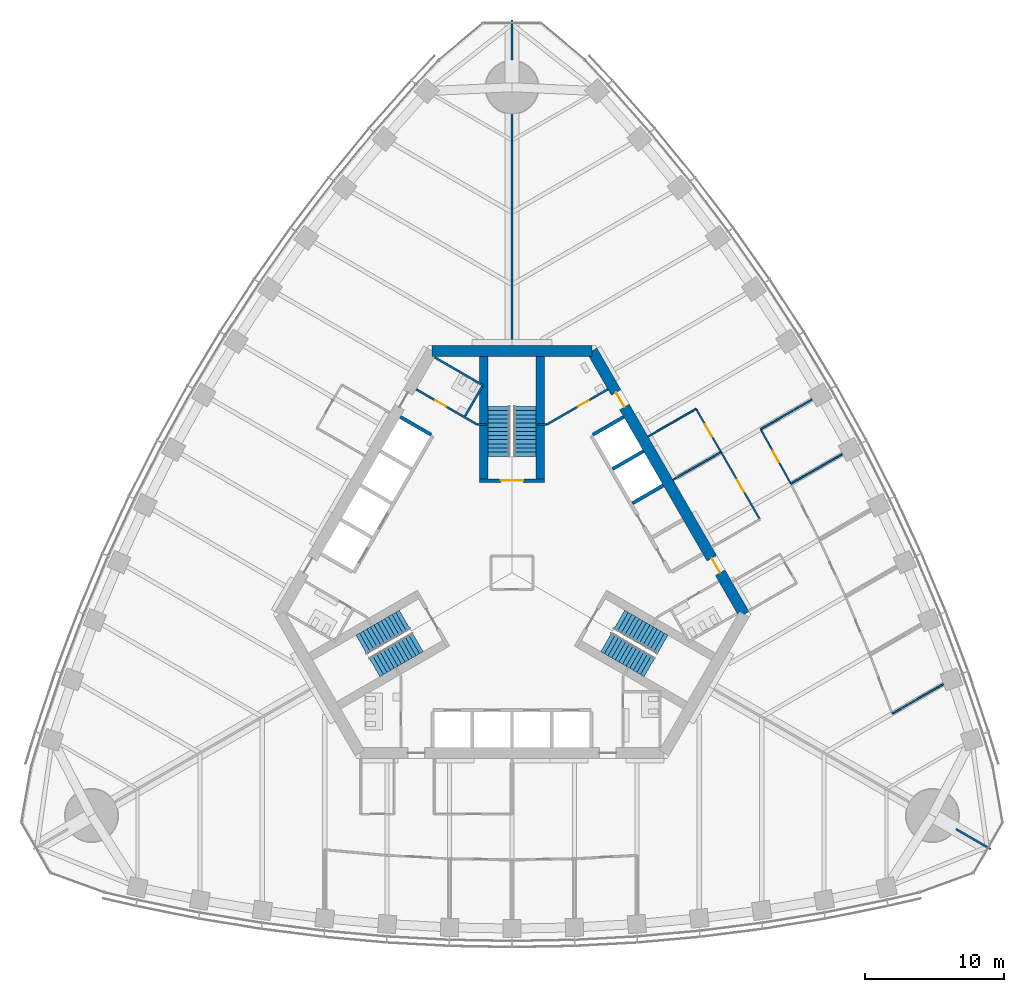
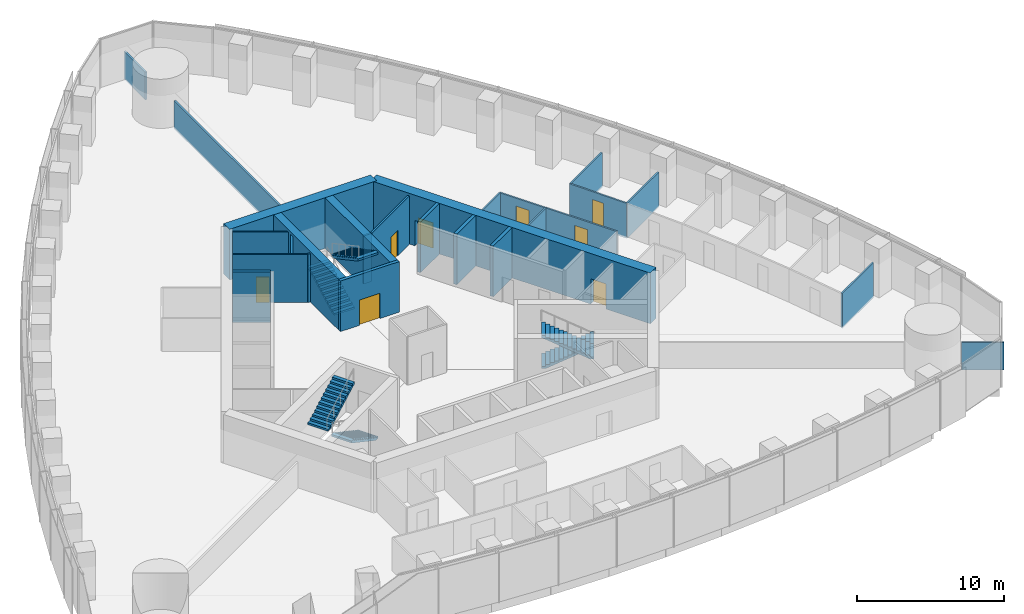
# One storey, part 14 of 19: 26 walls, 8 doors, 6 stair flights, 8 openings, 3 elements without a shape of their own.
"""IFC4 building model written with IfcOpenShell, lengths in metres."""

from ifc_helpers import new_model, si_unit, direction, frame, frame_2d, origin, place, context, subcontext, project, spatial, polyline, rectangle, outline, extrude, material, layer, layer_set, type_object, element, fill, aggregate, save


model = new_model("IFC4")

# Units and contexts
model_context = context("Model", 3, precision=1e-05, world=origin(), true_north=direction((0.0, 1.0)))
body_context = subcontext(model_context, "Body", "Model", "MODEL_VIEW")
ifc_project = project(units=[si_unit("LENGTHUNIT", "METRE"), si_unit("AREAUNIT", "SQUARE_METRE"), si_unit("VOLUMEUNIT", "CUBIC_METRE"), si_unit("PLANEANGLEUNIT", "RADIAN"), si_unit("MASSUNIT", "GRAM", prefix="KILO")], contexts=[model_context])

# Site, building, storey
site_placement = place(None, origin())
site = spatial("IfcSite", under=ifc_project, at=site_placement, CompositionType="ELEMENT")
building_placement = place(site_placement, origin())
building = spatial("IfcBuilding", under=site, at=building_placement, Name="Trefoil Bronze Tower", CompositionType="ELEMENT")
storey_placement = place(building_placement, frame((0.0, 0.0, 124.10009765625)))
storey = spatial("IfcBuildingStorey", under=building, at=storey_placement, Name="L28", CompositionType="ELEMENT", Elevation=124.10009765625)

# Wall, openings, doors
ifc_material_1 = material(Name="Concrete B80", Category="concrete")
ifc_layer_1 = layer(ifc_material_1, 0.800048828125)
ifc_layer_set_1 = layer_set([ifc_layer_1], Name="Core wall 800")
wall_type_1 = type_object("IfcWallType", Name="Core wall 800", PredefinedType="SHEAR", material=ifc_layer_set_1)
wall_1_placement = place(storey_placement, frame((16.7431640625, -3.0, 0.0), z_axis=(0.0, 0.0, 1.0), x_axis=(-0.500002442456, 0.866023993627, 0.0)))
wall_1 = element("IfcWall", 1, at=wall_1_placement, inside=storey, type_object=wall_type_1, Name="Core long wall 2 L28", PredefinedType="SHEAR", context=body_context, shape_type="SweptSolid", body=[
    extrude(rectangle(XDim=21.939453125, YDim=0.800048828125, at=frame_2d((10.9697265625, 0.0))), origin(), (0.0, 0.0, 1.0), 4.199951171875),
])
opening_1_placement = place(wall_1_placement, frame((17.269775390625, 0.0, 0.0)))
opening_1 = element("IfcOpeningElement", 2, at=opening_1_placement, cuts=wall_1, Name="Opening D2", PredefinedType="OPENING", context=body_context, shape_type="SweptSolid", body=[
    extrude(rectangle(XDim=1.199951171875, YDim=2.10009765625, at=frame_2d((0.60009765625, 1.050048828125))), frame((0.0, 0.409912109375, 0.0), z_axis=(0.0, -1.0, 0.0), x_axis=(1.0, 0.0, 0.0)), (0.0, 0.0, 1.0), 0.820068359375),
])
opening_2_placement = place(wall_1_placement, frame((3.4697265625, 0.0, 0.0)))
opening_2 = element("IfcOpeningElement", 3, at=opening_2_placement, cuts=wall_1, Name="Opening D2", PredefinedType="OPENING", context=body_context, shape_type="SweptSolid", body=[
    extrude(rectangle(XDim=1.199951171875, YDim=2.10009765625, at=frame_2d((0.60009765625, 1.050048828125))), frame((0.0, 0.409912109375, 0.0), z_axis=(0.0, -1.0, 0.0), x_axis=(1.0, 0.0, 0.0)), (0.0, 0.0, 1.0), 0.820068359375),
])
ifc_material_2 = material(Name="Steel door", Category="steel")
door_type_1 = type_object("IfcDoorType", Name="Lobby door 1200", OperationType="SINGLE_SWING_RIGHT", PredefinedType="DOOR", material=ifc_material_2)
door_1_placement = place(opening_1_placement, origin())
door_1 = element("IfcDoor", 4, at=door_1_placement, inside=storey, type_object=door_type_1, Name="Lobby door F2+ L28", OperationType="SINGLE_SWING_RIGHT", OverallHeight=2.10009765625, OverallWidth=1.199951171875, PredefinedType="DOOR", context=body_context, shape_type="SweptSolid", body=[
    extrude(rectangle(XDim=1.199951171875, YDim=2.10009765625, at=frame_2d((0.60009765625, 1.050048828125))), frame((0.0, 0.02490234375, 0.0), z_axis=(0.0, -1.0, 0.0), x_axis=(1.0, 0.0, 0.0)), (0.0, 0.0, 1.0), 0.050048828125),
])
fill(opening_1, door_1)
door_2_placement = place(opening_2_placement, origin())
door_2 = element("IfcDoor", 5, at=door_2_placement, inside=storey, type_object=door_type_1, Name="Lobby door F2- L28", OperationType="SINGLE_SWING_LEFT", OverallHeight=2.10009765625, OverallWidth=1.199951171875, PredefinedType="DOOR", context=body_context, shape_type="SweptSolid", body=[
    extrude(rectangle(XDim=1.199951171875, YDim=2.10009765625, at=frame_2d((0.60009765625, 1.050048828125))), frame((0.0, 0.02490234375, 0.0), z_axis=(0.0, -1.0, 0.0), x_axis=(1.0, 0.0, 0.0)), (0.0, 0.0, 1.0), 0.050048828125),
])
fill(opening_2, door_2)

# Wall
wall_2_placement = place(storey_placement, frame((5.7734375, 16.0, 0.0), z_axis=(0.0, 0.0, 1.0), x_axis=(-1.0, 0.0, 0.0)))
element("IfcWall", 6, at=wall_2_placement, inside=storey, type_object=wall_type_1, Name="Core short wall 2 L28", PredefinedType="SHEAR", context=body_context, shape_type="SweptSolid", body=[
    extrude(rectangle(XDim=11.546875, YDim=0.800048828125, at=frame_2d((5.7734375, 0.0))), origin(), (0.0, 0.0, 1.0), 4.199951171875),
])

# Wall, opening, door
ifc_material_3 = material(Name="Glazed partition", Category="glass")
ifc_layer_2 = layer(ifc_material_3, 0.1201171875)
ifc_layer_set_2 = layer_set([ifc_layer_2], Name="Glazed partition 120")
wall_type_2 = type_object("IfcWallType", Name="Glazed partition 120", PredefinedType="PARTITIONING", material=ifc_layer_set_2)
wall_3_placement = place(storey_placement, frame((15.06884765625, 8.699951171875, 0.0), z_axis=(0.0, 0.0, 1.0), x_axis=(-0.500012057535, 0.866018442252, 0.0)))
wall_3 = element("IfcWall", 7, at=wall_3_placement, inside=storey, type_object=wall_type_2, Name="Partition F2 L28", PredefinedType="PARTITIONING", context=body_context, shape_type="SweptSolid", body=[
    extrude(rectangle(XDim=3.60009765625, YDim=0.1201171875, at=frame_2d((1.800048828125, 0.0))), origin(), (0.0, 0.0, 1.0), 2.89990234375),
])
opening_3_placement = place(wall_3_placement, frame((1.300048828125, 0.0, 0.14990234375)))
opening_3 = element("IfcOpeningElement", 8, at=opening_3_placement, cuts=wall_3, Name="Opening D9", PredefinedType="OPENING", context=body_context, shape_type="SweptSolid", body=[
    extrude(rectangle(XDim=1.0, YDim=2.10009765625, at=frame_2d((0.5, 1.050048828125))), frame((0.0, 0.070068359375, 0.0), z_axis=(0.0, -1.0, 0.0), x_axis=(1.0, 0.0, 0.0)), (0.0, 0.0, 1.0), 0.14013671875),
])
ifc_material_4 = material(Name="Glazed timber door", Category="wood")
door_type_2 = type_object("IfcDoorType", Name="Meeting room door 1000", OperationType="SINGLE_SWING_LEFT", PredefinedType="DOOR", material=ifc_material_4)
door_3_placement = place(opening_3_placement, origin())
door_3 = element("IfcDoor", 9, at=door_3_placement, inside=storey, type_object=door_type_2, Name="Meeting room door F2 L28", OperationType="SINGLE_SWING_LEFT", OverallHeight=2.10009765625, OverallWidth=1.0, PredefinedType="DOOR", context=body_context, shape_type="SweptSolid", body=[
    extrude(rectangle(XDim=1.0, YDim=2.10009765625, at=frame_2d((0.5, 1.050048828125))), frame((0.0, 0.02490234375, 0.0), z_axis=(0.0, -1.0, 0.0), x_axis=(1.0, 0.0, 0.0)), (0.0, 0.0, 1.0), 0.050048828125),
])
fill(opening_3, door_3)

wall_4_placement = place(storey_placement, frame((17.868896484375, 3.850341796875, 0.0), z_axis=(0.0, 0.0, 1.0), x_axis=(-0.500016814911, 0.866015695474, 0.0)))
wall_4 = element("IfcWall", 10, at=wall_4_placement, inside=storey, type_object=wall_type_2, Name="Partition F2 L28", PredefinedType="PARTITIONING", context=body_context, shape_type="SweptSolid", body=[
    extrude(rectangle(XDim=5.599853515625, YDim=0.1201171875, at=frame_2d((2.7998046875, 0.0))), origin(), (0.0, 0.0, 1.0), 2.89990234375),
])
opening_4_placement = place(wall_4_placement, frame((2.300048828125, 0.0, 0.14990234375)))
opening_4 = element("IfcOpeningElement", 11, at=opening_4_placement, cuts=wall_4, Name="Opening D9", PredefinedType="OPENING", context=body_context, shape_type="SweptSolid", body=[
    extrude(rectangle(XDim=1.0, YDim=2.10009765625, at=frame_2d((0.5, 1.050048828125))), frame((0.0, 0.070068359375, 0.0), z_axis=(0.0, -1.0, 0.0), x_axis=(1.0, 0.0, 0.0)), (0.0, 0.0, 1.0), 0.14013671875),
])
door_4_placement = place(opening_4_placement, origin())
door_4 = element("IfcDoor", 12, at=door_4_placement, inside=storey, type_object=door_type_2, Name="Meeting room door F2 L28", OperationType="SINGLE_SWING_RIGHT", OverallHeight=2.10009765625, OverallWidth=1.0, PredefinedType="DOOR", context=body_context, shape_type="SweptSolid", body=[
    extrude(rectangle(XDim=1.0, YDim=2.10009765625, at=frame_2d((0.5, 1.050048828125))), frame((0.0, 0.02490234375, 0.0), z_axis=(0.0, -1.0, 0.0), x_axis=(1.0, 0.0, 0.0)), (0.0, 0.0, 1.0), 0.050048828125),
])
fill(opening_4, door_4)

# Walls
for number, where, z_axis, x_axis, name in (
    (13, (9.8046875, 9.817626953125, 0.0), (0.0, 0.0, 1.0), (0.866026010844, 0.49999894854, 0.0), "Partition F2 L28"),
    (14, (11.604736328125, 6.699951171875, 0.0), (0.0, 0.0, 1.0), (0.866026010844, 0.49999894854, 0.0), "Partition F2 L28"),
):
    element("IfcWall", number, at=place(storey_placement, frame(where, z_axis=z_axis, x_axis=x_axis)), inside=storey, type_object=wall_type_2, Name=name, PredefinedType="PARTITIONING", context=body_context, shape_type="SweptSolid", body=[
        extrude(rectangle(XDim=4.0, YDim=0.1201171875, at=frame_2d((2.0, 0.0))), origin(), (0.0, 0.0, 1.0), 2.89990234375),
    ])

# Wall, opening, door
wall_5_placement = place(storey_placement, frame((20.106201171875, 6.412109375, 0.0), z_axis=(0.0, 0.0, 1.0), x_axis=(-0.484292898211, 0.874905931368, 0.0)))
wall_5 = element("IfcWall", 15, at=wall_5_placement, inside=storey, type_object=wall_type_2, Name="Partition F2 L28", PredefinedType="PARTITIONING", context=body_context, shape_type="SweptSolid", body=[
    extrude(rectangle(XDim=4.500732421875, YDim=0.1201171875, at=frame_2d((2.25048828125, 0.0))), origin(), (0.0, 0.0, 1.0), 2.89990234375),
])
opening_5_placement = place(wall_5_placement, frame((1.800048828125, 0.0, 0.14990234375)))
opening_5 = element("IfcOpeningElement", 16, at=opening_5_placement, cuts=wall_5, Name="Opening D8", PredefinedType="OPENING", context=body_context, shape_type="SweptSolid", body=[
    extrude(rectangle(XDim=0.89990234375, YDim=2.10009765625, at=frame_2d((0.449951171875, 1.050048828125))), frame((0.0, 0.070068359375, 0.0), z_axis=(0.0, -1.0, 0.0), x_axis=(1.0, 0.0, 0.0)), (0.0, 0.0, 1.0), 0.14013671875),
])
ifc_material_5 = material(Name="Timber door", Category="wood")
door_type_3 = type_object("IfcDoorType", Name="Office door 900", OperationType="SINGLE_SWING_LEFT", PredefinedType="DOOR", material=ifc_material_5)
door_5_placement = place(opening_5_placement, frame((0.89990234375, 0.0, 0.0), z_axis=(0.0, 0.0, 1.0), x_axis=(-1.0, 0.0, 0.0)))
door_5 = element("IfcDoor", 17, at=door_5_placement, inside=storey, type_object=door_type_3, Name="Office door F2 L28", OperationType="SINGLE_SWING_RIGHT", OverallHeight=2.10009765625, OverallWidth=0.89990234375, PredefinedType="DOOR", context=body_context, shape_type="SweptSolid", body=[
    extrude(rectangle(XDim=0.89990234375, YDim=2.10009765625, at=frame_2d((0.449951171875, 1.050048828125))), frame((0.0, 0.02490234375, 0.0), z_axis=(0.0, -1.0, 0.0), x_axis=(1.0, 0.0, 0.0)), (0.0, 0.0, 1.0), 0.050048828125),
])
fill(opening_5, door_5)

# Walls
wall_6_placement = place(storey_placement, frame((17.926513671875, 10.349853515625, 0.0), z_axis=(0.0, 0.0, 1.0), x_axis=(0.866014192265, 0.500019418418, 0.0)))
element("IfcWall", 18, at=wall_6_placement, inside=storey, type_object=wall_type_2, Name="Partition F2 L28", PredefinedType="PARTITIONING", context=body_context, shape_type="SweptSolid", body=[
    extrude(rectangle(XDim=4.269775390625, YDim=0.1201171875, at=frame_2d((2.134765625, 0.0))), origin(), (0.0, 0.0, 1.0), 2.89990234375),
])
wall_7_placement = place(storey_placement, frame((27.406494140625, -10.15771484375, 0.0), z_axis=(0.0, 0.0, 1.0), x_axis=(0.866022790583, 0.50000452617, 0.0)))
element("IfcWall", 19, at=wall_7_placement, inside=storey, type_object=wall_type_2, Name="Partition F2 L28", PredefinedType="PARTITIONING", context=body_context, shape_type="SweptSolid", body=[
    extrude(rectangle(XDim=4.24560546875, YDim=0.1201171875, at=frame_2d((2.122802734375, 0.0))), origin(), (0.0, 0.0, 1.0), 2.89990234375),
])
wall_8_placement = place(storey_placement, frame((20.106201171875, 6.412109375, 0.0), z_axis=(0.0, 0.0, 1.0), x_axis=(0.866020825576, 0.500007929605, 0.0)))
element("IfcWall", 20, at=wall_8_placement, inside=storey, type_object=wall_type_2, Name="Partition F2 L28", PredefinedType="PARTITIONING", context=body_context, shape_type="SweptSolid", body=[
    extrude(rectangle(XDim=4.26904296875, YDim=0.1201171875, at=frame_2d((2.134521484375, 0.0))), origin(), (0.0, 0.0, 1.0), 2.89990234375),
])

# Wall, opening, door
ifc_material_6 = material(Name="Gypsum board on steel studs", Category="steel")
ifc_layer_3 = layer(ifc_material_6, 0.14990234375)
ifc_layer_set_3 = layer_set([ifc_layer_3], Name="Partition 150")
wall_type_3 = type_object("IfcWallType", Name="Partition 150", PredefinedType="PARTITIONING", material=ifc_layer_set_3)
wall_9_placement = place(storey_placement, frame((2.4951171875, 10.67822265625, 0.0), z_axis=(0.0, 0.0, 1.0), x_axis=(0.86602216432, 0.500005610874, 0.0)))
wall_9 = element("IfcWall", 21, at=wall_9_placement, inside=storey, type_object=wall_type_3, Name="Passage wall F2+ L28", PredefinedType="PARTITIONING", context=body_context, shape_type="SweptSolid", body=[
    extrude(rectangle(XDim=5.10009765625, YDim=0.14990234375, at=frame_2d((2.550048828125, 0.0))), origin(), (0.0, 0.0, 1.0), 4.0),
])
opening_6_placement = place(wall_9_placement, frame((2.60009765625, 0.0, 0.0)))
opening_6 = element("IfcOpeningElement", 22, at=opening_6_placement, cuts=wall_9, Name="Opening D3", PredefinedType="OPENING", context=body_context, shape_type="SweptSolid", body=[
    extrude(rectangle(XDim=0.89990234375, YDim=2.10009765625, at=frame_2d((0.449951171875, 1.050048828125))), frame((0.0, 0.0849609375, 0.0), z_axis=(0.0, -1.0, 0.0), x_axis=(1.0, 0.0, 0.0)), (0.0, 0.0, 1.0), 0.169921875),
])
ifc_material_7 = material(Name="Timber door", Category="wood")
door_type_4 = type_object("IfcDoorType", Name="WC door 900", OperationType="SINGLE_SWING_LEFT", PredefinedType="DOOR", material=ifc_material_7)
door_6_placement = place(opening_6_placement, origin())
door_6 = element("IfcDoor", 23, at=door_6_placement, inside=storey, type_object=door_type_4, Name="Accessible WC door L28", OperationType="SINGLE_SWING_RIGHT", OverallHeight=2.10009765625, OverallWidth=0.89990234375, PredefinedType="DOOR", context=body_context, shape_type="SweptSolid", body=[
    extrude(rectangle(XDim=0.89990234375, YDim=2.10009765625, at=frame_2d((0.449951171875, 1.050048828125))), frame((0.0, 0.02490234375, 0.0), z_axis=(0.0, -1.0, 0.0), x_axis=(1.0, 0.0, 0.0)), (0.0, 0.0, 1.0), 0.050048828125),
])
fill(opening_6, door_6)

wall_10_placement = place(storey_placement, frame((-2.4951171875, 10.67822265625, 0.0), z_axis=(0.0, 0.0, 1.0), x_axis=(-0.86602216432, 0.500005610874, 0.0)))
wall_10 = element("IfcWall", 24, at=wall_10_placement, inside=storey, type_object=wall_type_3, Name="Passage wall F3- L28", PredefinedType="PARTITIONING", context=body_context, shape_type="SweptSolid", body=[
    extrude(rectangle(XDim=5.10009765625, YDim=0.14990234375, at=frame_2d((2.550048828125, 0.0))), origin(), (0.0, 0.0, 1.0), 4.0),
])
opening_7_placement = place(wall_10_placement, frame((2.60009765625, 0.0, 0.0)))
opening_7 = element("IfcOpeningElement", 25, at=opening_7_placement, cuts=wall_10, Name="Opening D3", PredefinedType="OPENING", context=body_context, shape_type="SweptSolid", body=[
    extrude(rectangle(XDim=0.89990234375, YDim=2.10009765625, at=frame_2d((0.449951171875, 1.050048828125))), frame((0.0, 0.0849609375, 0.0), z_axis=(0.0, -1.0, 0.0), x_axis=(1.0, 0.0, 0.0)), (0.0, 0.0, 1.0), 0.169921875),
])
door_7_placement = place(opening_7_placement, frame((0.89990234375, 0.0, 0.0), z_axis=(0.0, 0.0, 1.0), x_axis=(-1.0, 0.0, 0.0)))
door_7 = element("IfcDoor", 26, at=door_7_placement, inside=storey, type_object=door_type_4, Name="WC (women) door L28", OperationType="SINGLE_SWING_RIGHT", OverallHeight=2.10009765625, OverallWidth=0.89990234375, PredefinedType="DOOR", context=body_context, shape_type="SweptSolid", body=[
    extrude(rectangle(XDim=0.89990234375, YDim=2.10009765625, at=frame_2d((0.449951171875, 1.050048828125))), frame((0.0, 0.02490234375, 0.0), z_axis=(0.0, -1.0, 0.0), x_axis=(1.0, 0.0, 0.0)), (0.0, 0.0, 1.0), 0.050048828125),
])
fill(opening_7, door_7)

# Walls
for number, where, z_axis, x_axis, name in (
    (27, (2.4951171875, 10.67822265625, 0.0), (0.0, 0.0, 1.0), (-1.0, 0.0, 0.0), "WC wall ST2-1 L28"),
    (28, (-2.4951171875, 10.67822265625, 0.0), (0.0, 0.0, 1.0), (1.0, 0.0, 0.0), "WC wall ST2+1 L28"),
):
    element("IfcWall", number, at=place(storey_placement, frame(where, z_axis=z_axis, x_axis=x_axis)), inside=storey, type_object=wall_type_3, Name=name, PredefinedType="PARTITIONING", context=body_context, shape_type="SweptSolid", body=[
        extrude(rectangle(XDim=0.64501953125, YDim=0.14990234375, at=frame_2d((0.322509765625, 0.0))), origin(), (0.0, 0.0, 1.0), 4.0),
    ])
wall_11_placement = place(storey_placement, frame((-2.03125, 13.48193359375, 0.0), z_axis=(0.0, 0.0, 1.0), x_axis=(-0.866050731258, 0.499956128963, 0.0)))
element("IfcWall", 29, at=wall_11_placement, inside=storey, type_object=wall_type_3, Name="WC partition WC (women) L28", PredefinedType="PARTITIONING", context=body_context, shape_type="SweptSolid", body=[
    extrude(rectangle(XDim=4.099853515625, YDim=0.14990234375, at=frame_2d((2.0498046875, 0.0))), origin(), (0.0, 0.0, 1.0), 4.0),
])
wall_12_placement = place(storey_placement, frame((-3.388671875, 11.28076171875, 0.0), z_axis=(0.0, 0.0, 1.0), x_axis=(0.499989096993, 0.866031698547, 0.0)))
element("IfcWall", 30, at=wall_12_placement, inside=storey, type_object=wall_type_3, Name="WC partition WC (women) L28", PredefinedType="PARTITIONING", context=body_context, shape_type="SweptSolid", body=[
    extrude(rectangle(XDim=2.509765625, YDim=0.14990234375, at=frame_2d((1.2548828125, 0.0))), origin(), (0.0, 0.0, 1.0), 4.0),
])
ifc_material_8 = material(Name="Gypsum board on steel studs", Category="steel")
ifc_layer_4 = layer(ifc_material_8, 0.14990234375)
ifc_layer_set_4 = layer_set([ifc_layer_4], Name="Party wall 150")
wall_type_4 = type_object("IfcWallType", Name="Party wall 150", PredefinedType="PARTITIONING", material=ifc_layer_set_4)
wall_13_placement = place(storey_placement, frame((31.999755859375, -18.47509765625, 0.0), z_axis=(0.0, 0.0, 1.0), x_axis=(0.866042548026, -0.499970304126, 0.0)))
element("IfcWall", 31, at=wall_13_placement, inside=storey, type_object=wall_type_4, Name="Party wall K1 L28", PredefinedType="PARTITIONING", context=body_context, shape_type="SweptSolid", body=[
    extrude(rectangle(XDim=2.899169921875, YDim=0.14990234375, at=frame_2d((1.44970703125, 0.0))), origin(), (0.0, 0.0, 1.0), 2.2998046875),
])
wall_14_placement = place(storey_placement, frame((0.0, 16.39990234375, 0.0), z_axis=(0.0, 0.0, 1.0), x_axis=(0.0, 1.0, 0.0)))
element("IfcWall", 32, at=wall_14_placement, inside=storey, type_object=wall_type_4, Name="Party wall K2 L28", PredefinedType="PARTITIONING", context=body_context, shape_type="SweptSolid", body=[
    extrude(rectangle(XDim=16.650146484375, YDim=0.14990234375, at=frame_2d((8.3251953125, 0.0))), origin(), (0.0, 0.0, 1.0), 2.2998046875),
])
wall_15_placement = place(storey_placement, frame((0.0, 36.949951171875, 0.0), z_axis=(0.0, 0.0, 1.0), x_axis=(0.0, 1.0, 0.0)))
element("IfcWall", 33, at=wall_15_placement, inside=storey, type_object=wall_type_4, Name="Party wall K2 L28", PredefinedType="PARTITIONING", context=body_context, shape_type="SweptSolid", body=[
    extrude(rectangle(XDim=2.8994140625, YDim=0.14990234375, at=frame_2d((1.44970703125, 0.0))), origin(), (0.0, 0.0, 1.0), 2.2998046875),
])
ifc_material_9 = material(Name="Concrete B80", Category="concrete")
ifc_layer_5 = layer(ifc_material_9, 0.25)
ifc_layer_set_5 = layer_set([ifc_layer_5], Name="Shaft wall 250")
wall_type_5 = type_object("IfcWallType", Name="Shaft wall 250", PredefinedType="SHEAR", material=ifc_layer_set_5)
for number, where, z_axis, x_axis, name in (
    (34, (8.681884765625, 5.012451171875, 0.0), (0.0, 0.0, 1.0), (0.866005588531, 0.500034319456, 0.0), "Lift shaft side wall B2 L28"),
    (35, (7.2568359375, 7.480712890625, 0.0), (0.0, 0.0, 1.0), (0.866046643894, 0.499963209246, 0.0), "Lift shaft side wall B3 L28"),
):
    element("IfcWall", number, at=place(storey_placement, frame(where, z_axis=z_axis, x_axis=x_axis)), inside=storey, type_object=wall_type_5, Name=name, PredefinedType="SHEAR", context=body_context, shape_type="SweptSolid", body=[
        extrude(rectangle(XDim=2.574951171875, YDim=0.25, at=frame_2d((1.28759765625, 0.0))), origin(), (0.0, 0.0, 1.0), 4.199951171875),
    ])
for number, where, z_axis, x_axis, name in (
    (36, (5.831787109375, 9.94873046875, 0.0), (0.0, 0.0, 1.0), (0.866029291668, 0.499993265928, 0.0), "Lift shaft side wall B4 L28"),
    (37, (-5.831787109375, 9.94873046875, 0.0), (0.0, 0.0, 1.0), (-0.866029291668, 0.499993265928, 0.0), "Lift shaft side wall C0 L28"),
):
    element("IfcWall", number, at=place(storey_placement, frame(where, z_axis=z_axis, x_axis=x_axis)), inside=storey, type_object=wall_type_5, Name=name, PredefinedType="SHEAR", context=body_context, shape_type="SweptSolid", body=[
        extrude(rectangle(XDim=2.5751953125, YDim=0.25, at=frame_2d((1.28759765625, 0.0))), origin(), (0.0, 0.0, 1.0), 4.199951171875),
    ])

# Wall, opening, door
wall_16_placement = place(storey_placement, frame((2.324951171875, 6.64990234375, 0.0), z_axis=(0.0, 0.0, 1.0), x_axis=(-1.0, 0.0, 0.0)))
wall_16 = element("IfcWall", 38, at=wall_16_placement, inside=storey, type_object=wall_type_5, Name="Stair end wall ST2 L28", PredefinedType="SHEAR", context=body_context, shape_type="SweptSolid", body=[
    extrude(rectangle(XDim=4.64990234375, YDim=0.25, at=frame_2d((2.324951171875, 0.0))), origin(), (0.0, 0.0, 1.0), 4.199951171875),
])
opening_8_placement = place(wall_16_placement, frame((1.52490234375, 0.0, 0.0)))
opening_8 = element("IfcOpeningElement", 39, at=opening_8_placement, cuts=wall_16, Name="Opening D1", PredefinedType="OPENING", context=body_context, shape_type="SweptSolid", body=[
    extrude(rectangle(XDim=1.60009765625, YDim=2.10009765625, at=frame_2d((0.800048828125, 1.050048828125))), frame((0.0, 0.135009765625, 0.0), z_axis=(0.0, -1.0, 0.0), x_axis=(1.0, 0.0, 0.0)), (0.0, 0.0, 1.0), 0.27001953125),
])
ifc_material_10 = material(Name="Steel door", Category="steel")
door_type_5 = type_object("IfcDoorType", Name="Stair door 1600", OperationType="DOUBLE_DOOR_SINGLE_SWING", PredefinedType="DOOR", material=ifc_material_10)
door_8_placement = place(opening_8_placement, frame((1.60009765625, 0.0, 0.0), z_axis=(0.0, 0.0, 1.0), x_axis=(-1.0, 0.0, 0.0)))
door_8 = element("IfcDoor", 40, at=door_8_placement, inside=storey, type_object=door_type_5, Name="Stair door ST2 L28", OperationType="DOUBLE_DOOR_SINGLE_SWING", OverallHeight=2.10009765625, OverallWidth=1.60009765625, PredefinedType="DOOR", context=body_context, shape_type="SweptSolid", body=[
    extrude(rectangle(XDim=1.60009765625, YDim=2.10009765625, at=frame_2d((0.800048828125, 1.050048828125))), frame((0.0, 0.02490234375, 0.0), z_axis=(0.0, -1.0, 0.0), x_axis=(1.0, 0.0, 0.0)), (0.0, 0.0, 1.0), 0.050048828125),
])
fill(opening_8, door_8)

# Walls
ifc_material_11 = material(Name="Concrete B80", Category="concrete")
ifc_layer_6 = layer(ifc_material_11, 0.60009765625)
ifc_layer_set_6 = layer_set([ifc_layer_6], Name="Stair wall 600")
wall_type_6 = type_object("IfcWallType", Name="Stair wall 600", PredefinedType="SHEAR", material=ifc_layer_set_6)
for number, where, z_axis, x_axis, name in (
    (41, (2.02490234375, 6.52490234375, 0.0), (0.0, 0.0, 1.0), (0.0, 1.0, 0.0), "Stair wall ST2 L28"),
    (42, (-2.02490234375, 6.52490234375, 0.0), (0.0, 0.0, 1.0), (0.0, 1.0, 0.0), "Stair wall ST2 L28"),
):
    element("IfcWall", number, at=place(storey_placement, frame(where, z_axis=z_axis, x_axis=x_axis)), inside=storey, type_object=wall_type_6, Name=name, PredefinedType="SHEAR", context=body_context, shape_type="SweptSolid", body=[
        extrude(rectangle(XDim=9.0751953125, YDim=0.60009765625, at=frame_2d((4.53759765625, 0.0))), origin(), (0.0, 0.0, 1.0), 4.199951171875),
    ])

# Stair, stair flights
ifc_material_12 = material(Name="Precast concrete B80", Category="concrete")
stair_type = type_object("IfcStairType", Name="Exit stair 26 risers", PredefinedType="HALF_TURN_STAIR", material=ifc_material_12)
stair_1_placement = place(storey_placement, origin())
stair_1 = element("IfcStair", 43, at=stair_1_placement, inside=storey, type_object=stair_type, Name="Stair ST1 L28", PredefinedType="HALF_TURN_STAIR")
ifc_material_13 = material(Name="Precast concrete B80", Category="concrete")
stair_flight_type = type_object("IfcStairFlightType", Name="Stair flight 1600", PredefinedType="STRAIGHT", material=ifc_material_13)
stair_flight_1_placement = place(storey_placement, frame((7.728515625, -3.39404296875, 0.0), z_axis=(0.0, 0.0, 1.0), x_axis=(0.866025403784, -0.5, 0.0)))
stair_flight_1 = element("IfcStairFlight", 44, at=stair_flight_1_placement, type_object=stair_flight_type, Name="ST1 flight 1", NumberOfRisers=13, NumberOfTreads=12, PredefinedType="STRAIGHT", RiserHeight=0.161538462, TreadLength=0.3, context=body_context, shape_type="SweptSolid", body=[
    extrude(outline(polyline([(0.0, 0.0), (0.0, 0.16162109375), (0.300048828125, 0.16162109375), (0.300048828125, 0.322998046875), (0.60009765625, 0.322998046875), (0.60009765625, 0.484619140625), (0.89990234375, 0.484619140625), (0.89990234375, 0.646240234375), (1.199951171875, 0.646240234375), (1.199951171875, 0.8076171875), (1.5, 0.8076171875), (1.5, 0.96923828125), (1.800048828125, 0.96923828125), (1.800048828125, 1.130859375), (2.10009765625, 1.130859375), (2.10009765625, 1.292236328125), (2.39990234375, 1.292236328125), (2.39990234375, 1.453857421875), (2.699951171875, 1.453857421875), (2.699951171875, 1.615478515625), (3.0, 1.615478515625), (3.0, 1.77685546875), (3.300048828125, 1.77685546875), (3.300048828125, 1.9384765625), (3.60009765625, 1.9384765625), (3.60009765625, 2.10009765625), (3.60009765625, 1.768310546875), (0.316162109375, 0.0), (0.0, 0.0)])), frame((0.0, 0.800048828125, 0.0), z_axis=(0.0, -1.0, 0.0), x_axis=(1.0, 0.0, 0.0)), (0.0, 0.0, 1.0), 1.60009765625),
])
stair_flight_2_placement = place(storey_placement, frame((9.921142578125, -6.796142578125, 2.099853515625), z_axis=(0.0, 0.0, 1.0), x_axis=(-0.866025403784, 0.5, 0.0)))
stair_flight_2 = element("IfcStairFlight", 45, at=stair_flight_2_placement, type_object=stair_flight_type, Name="ST1 flight 2", NumberOfRisers=13, NumberOfTreads=12, PredefinedType="STRAIGHT", RiserHeight=0.161538462, TreadLength=0.3, context=body_context, shape_type="SweptSolid", body=[
    extrude(outline(polyline([(0.0, 0.0), (0.0, 0.16162109375), (0.300048828125, 0.16162109375), (0.300048828125, 0.322998046875), (0.60009765625, 0.322998046875), (0.60009765625, 0.484619140625), (0.89990234375, 0.484619140625), (0.89990234375, 0.646240234375), (1.199951171875, 0.646240234375), (1.199951171875, 0.8076171875), (1.5, 0.8076171875), (1.5, 0.96923828125), (1.800048828125, 0.96923828125), (1.800048828125, 1.130859375), (2.10009765625, 1.130859375), (2.10009765625, 1.292236328125), (2.39990234375, 1.292236328125), (2.39990234375, 1.453857421875), (2.699951171875, 1.453857421875), (2.699951171875, 1.615478515625), (3.0, 1.615478515625), (3.0, 1.77685546875), (3.300048828125, 1.77685546875), (3.300048828125, 1.9384765625), (3.60009765625, 1.9384765625), (3.60009765625, 2.10009765625), (3.60009765625, 1.768310546875), (0.316162109375, 0.0), (0.0, 0.0)])), frame((0.0, 0.800048828125, 0.0), z_axis=(0.0, -1.0, 0.0), x_axis=(1.0, 0.0, 0.0)), (0.0, 0.0, 1.0), 1.60009765625),
])
aggregate(stair_1, [stair_flight_1, stair_flight_2])

stair_2_placement = place(storey_placement, origin())
stair_2 = element("IfcStair", 46, at=stair_2_placement, inside=storey, type_object=stair_type, Name="Stair ST2 L28", PredefinedType="HALF_TURN_STAIR")
stair_flight_3_placement = place(storey_placement, frame((-0.925048828125, 8.389892578125, 0.0), z_axis=(0.0, 0.0, 1.0), x_axis=(0.0, 1.0, 0.0)))
stair_flight_3 = element("IfcStairFlight", 47, at=stair_flight_3_placement, type_object=stair_flight_type, Name="ST2 flight 1", NumberOfRisers=13, NumberOfTreads=12, PredefinedType="STRAIGHT", RiserHeight=0.161538462, TreadLength=0.3, context=body_context, shape_type="SweptSolid", body=[
    extrude(outline(polyline([(0.0, 0.0), (0.0, 0.16162109375), (0.300048828125, 0.16162109375), (0.300048828125, 0.322998046875), (0.60009765625, 0.322998046875), (0.60009765625, 0.484619140625), (0.89990234375, 0.484619140625), (0.89990234375, 0.646240234375), (1.199951171875, 0.646240234375), (1.199951171875, 0.8076171875), (1.5, 0.8076171875), (1.5, 0.96923828125), (1.800048828125, 0.96923828125), (1.800048828125, 1.130859375), (2.10009765625, 1.130859375), (2.10009765625, 1.292236328125), (2.39990234375, 1.292236328125), (2.39990234375, 1.453857421875), (2.699951171875, 1.453857421875), (2.699951171875, 1.615478515625), (3.0, 1.615478515625), (3.0, 1.77685546875), (3.300048828125, 1.77685546875), (3.300048828125, 1.9384765625), (3.60009765625, 1.9384765625), (3.60009765625, 2.10009765625), (3.60009765625, 1.768310546875), (0.316162109375, 0.0), (0.0, 0.0)])), frame((0.0, 0.800048828125, 0.0), z_axis=(0.0, -1.0, 0.0), x_axis=(1.0, 0.0, 0.0)), (0.0, 0.0, 1.0), 1.60009765625),
])
stair_flight_4_placement = place(storey_placement, frame((0.925048828125, 11.989990234375, 2.099853515625), z_axis=(0.0, 0.0, 1.0), x_axis=(0.0, -1.0, 0.0)))
stair_flight_4 = element("IfcStairFlight", 48, at=stair_flight_4_placement, type_object=stair_flight_type, Name="ST2 flight 2", NumberOfRisers=13, NumberOfTreads=12, PredefinedType="STRAIGHT", RiserHeight=0.161538462, TreadLength=0.3, context=body_context, shape_type="SweptSolid", body=[
    extrude(outline(polyline([(0.0, 0.0), (0.0, 0.16162109375), (0.300048828125, 0.16162109375), (0.300048828125, 0.322998046875), (0.60009765625, 0.322998046875), (0.60009765625, 0.484619140625), (0.89990234375, 0.484619140625), (0.89990234375, 0.646240234375), (1.199951171875, 0.646240234375), (1.199951171875, 0.8076171875), (1.5, 0.8076171875), (1.5, 0.96923828125), (1.800048828125, 0.96923828125), (1.800048828125, 1.130859375), (2.10009765625, 1.130859375), (2.10009765625, 1.292236328125), (2.39990234375, 1.292236328125), (2.39990234375, 1.453857421875), (2.699951171875, 1.453857421875), (2.699951171875, 1.615478515625), (3.0, 1.615478515625), (3.0, 1.77685546875), (3.300048828125, 1.77685546875), (3.300048828125, 1.9384765625), (3.60009765625, 1.9384765625), (3.60009765625, 2.10009765625), (3.60009765625, 1.768310546875), (0.316162109375, 0.0), (0.0, 0.0)])), frame((0.0, 0.800048828125, 0.0), z_axis=(0.0, -1.0, 0.0), x_axis=(1.0, 0.0, 0.0)), (0.0, 0.0, 1.0), 1.60009765625),
])
aggregate(stair_2, [stair_flight_3, stair_flight_4])

stair_3_placement = place(storey_placement, origin())
stair_3 = element("IfcStair", 49, at=stair_3_placement, inside=storey, type_object=stair_type, Name="Stair ST3 L28", PredefinedType="HALF_TURN_STAIR")
stair_flight_5_placement = place(storey_placement, frame((-6.803466796875, -4.99609375, 0.0), z_axis=(0.0, 0.0, 1.0), x_axis=(-0.866025403784, -0.5, 0.0)))
stair_flight_5 = element("IfcStairFlight", 50, at=stair_flight_5_placement, type_object=stair_flight_type, Name="ST3 flight 1", NumberOfRisers=13, NumberOfTreads=12, PredefinedType="STRAIGHT", RiserHeight=0.161538462, TreadLength=0.3, context=body_context, shape_type="SweptSolid", body=[
    extrude(outline(polyline([(0.0, 0.0), (0.0, 0.16162109375), (0.300048828125, 0.16162109375), (0.300048828125, 0.322998046875), (0.60009765625, 0.322998046875), (0.60009765625, 0.484619140625), (0.89990234375, 0.484619140625), (0.89990234375, 0.646240234375), (1.199951171875, 0.646240234375), (1.199951171875, 0.8076171875), (1.5, 0.8076171875), (1.5, 0.96923828125), (1.800048828125, 0.96923828125), (1.800048828125, 1.130859375), (2.10009765625, 1.130859375), (2.10009765625, 1.292236328125), (2.39990234375, 1.292236328125), (2.39990234375, 1.453857421875), (2.699951171875, 1.453857421875), (2.699951171875, 1.615478515625), (3.0, 1.615478515625), (3.0, 1.77685546875), (3.300048828125, 1.77685546875), (3.300048828125, 1.9384765625), (3.60009765625, 1.9384765625), (3.60009765625, 2.10009765625), (3.60009765625, 1.768310546875), (0.316162109375, 0.0), (0.0, 0.0)])), frame((0.0, 0.800048828125, 0.0), z_axis=(0.0, -1.0, 0.0), x_axis=(1.0, 0.0, 0.0)), (0.0, 0.0, 1.0), 1.60009765625),
])
stair_flight_6_placement = place(storey_placement, frame((-10.84619140625, -5.19384765625, 2.099853515625), z_axis=(0.0, 0.0, 1.0), x_axis=(0.866025403784, 0.5, 0.0)))
stair_flight_6 = element("IfcStairFlight", 51, at=stair_flight_6_placement, type_object=stair_flight_type, Name="ST3 flight 2", NumberOfRisers=13, NumberOfTreads=12, PredefinedType="STRAIGHT", RiserHeight=0.161538462, TreadLength=0.3, context=body_context, shape_type="SweptSolid", body=[
    extrude(outline(polyline([(0.0, 0.0), (0.0, 0.16162109375), (0.300048828125, 0.16162109375), (0.300048828125, 0.322998046875), (0.60009765625, 0.322998046875), (0.60009765625, 0.484619140625), (0.89990234375, 0.484619140625), (0.89990234375, 0.646240234375), (1.199951171875, 0.646240234375), (1.199951171875, 0.8076171875), (1.5, 0.8076171875), (1.5, 0.96923828125), (1.800048828125, 0.96923828125), (1.800048828125, 1.130859375), (2.10009765625, 1.130859375), (2.10009765625, 1.292236328125), (2.39990234375, 1.292236328125), (2.39990234375, 1.453857421875), (2.699951171875, 1.453857421875), (2.699951171875, 1.615478515625), (3.0, 1.615478515625), (3.0, 1.77685546875), (3.300048828125, 1.77685546875), (3.300048828125, 1.9384765625), (3.60009765625, 1.9384765625), (3.60009765625, 2.10009765625), (3.60009765625, 1.768310546875), (0.316162109375, 0.0), (0.0, 0.0)])), frame((0.0, 0.800048828125, 0.0), z_axis=(0.0, -1.0, 0.0), x_axis=(1.0, 0.0, 0.0)), (0.0, 0.0, 1.0), 1.60009765625),
])
aggregate(stair_3, [stair_flight_5, stair_flight_6])

save(model, "model.ifc")
